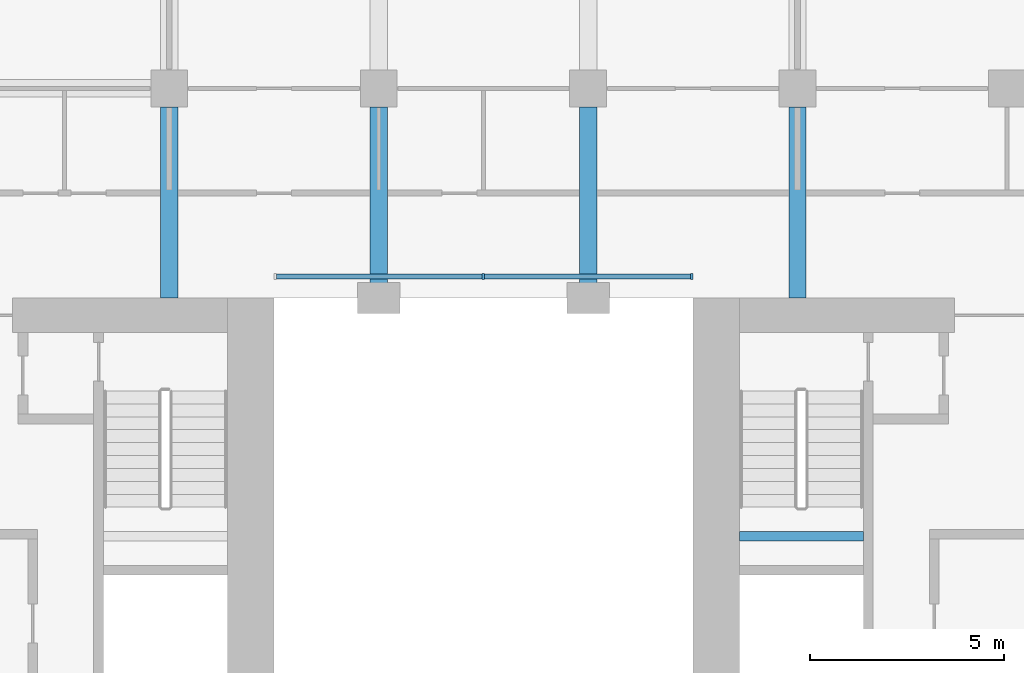
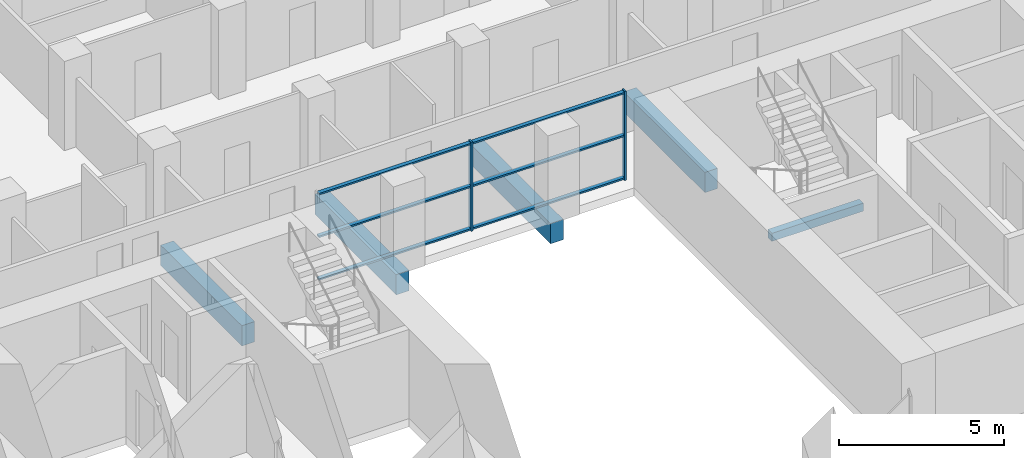
# One storey, part 4 of 13: 8 members, 5 beams, 1 element without a shape of its own.
"""IFC4 building model written with IfcOpenShell, lengths in metres."""

from ifc_helpers import new_model, si_unit, direction, frame, origin, origin_2d, place, context, subcontext, project, spatial, rectangle, extrude, material, material_profile, profile_set, type_object, element, aggregate, save


model = new_model("IFC4")

# Units and contexts
model_context = context("Model", 3, precision=1e-05, world=origin(), true_north=direction((0.0, 1.0)))
body_context = subcontext(model_context, "Body", "Model", "MODEL_VIEW")
ifc_project = project(units=[si_unit("LENGTHUNIT", "METRE"), si_unit("AREAUNIT", "SQUARE_METRE"), si_unit("VOLUMEUNIT", "CUBIC_METRE"), si_unit("PLANEANGLEUNIT", "RADIAN"), si_unit("MASSUNIT", "GRAM", prefix="KILO")], contexts=[model_context])

# Site, building, storey
site_placement = place(None, origin())
site = spatial("IfcSite", under=ifc_project, at=site_placement, CompositionType="ELEMENT")
building_placement = place(site_placement, origin())
building = spatial("IfcBuilding", under=site, at=building_placement, Name="Tabaq Tower and Sports Hall", CompositionType="ELEMENT")
storey_placement = place(building_placement, frame((0.0, 0.0, 122.0)))
storey = spatial("IfcBuildingStorey", under=building, at=storey_placement, Name="L29", CompositionType="ELEMENT", Elevation=122.0)

# Curtain wall, members
ifc_material_1 = material(Name="Aluminium alloy 6063-T6 framed glazing", Category="aluminium")
curtain_wall_type = type_object("IfcCurtainWallType", Name="CW1 curtain wall", PredefinedType="USERDEFINED", material=ifc_material_1)
curtain_wall_placement = place(storey_placement, origin())
curtain_wall = element("IfcCurtainWall", 1, at=curtain_wall_placement, inside=storey, type_object=curtain_wall_type, Name="Atrium glazing L29 N", ObjectType="ATRIUM ENCLOSURE", PredefinedType="USERDEFINED")
ifc_material_2 = material(Name="Aluminium alloy 6063-T6", Category="aluminium")
ifc_material_profile_1 = material_profile(ifc_material_2, rectangle(XDim=0.159912109375, YDim=0.06005859375, at=origin_2d()), Name="MULLION 160x60")
ifc_profile_set_1 = profile_set([ifc_material_profile_1], Name="Aluminium alloy 6063-T6")
member_type_1 = type_object("IfcMemberType", Name="CW1 mullion 160x60", PredefinedType="MULLION", material=ifc_profile_set_1)
member_1_placement = place(storey_placement, frame((24.300048828125, 32.949951171875, 0.0), z_axis=(0.0, 0.0, 1.0), x_axis=(0.0, 1.0, 0.0)))
member_1 = element("IfcMember", 2, at=member_1_placement, type_object=member_type_1, Name="CW1 mullion 2", PredefinedType="MULLION", context=body_context, shape_type="SweptSolid", body=[
    extrude(rectangle(XDim=0.159912109375, YDim=0.06005859375, at=origin_2d()), origin(), (0.0, 0.0, 1.0), 3.300048828125),
])
member_2_placement = place(storey_placement, frame((29.669921875, 32.949951171875, 0.0), z_axis=(0.0, 0.0, 1.0), x_axis=(0.0, 1.0, 0.0)))
member_2 = element("IfcMember", 3, at=member_2_placement, type_object=member_type_1, Name="CW1 mullion 3", PredefinedType="MULLION", context=body_context, shape_type="SweptSolid", body=[
    extrude(rectangle(XDim=0.159912109375, YDim=0.06005859375, at=origin_2d()), origin(), (0.0, 0.0, 1.0), 3.300048828125),
])
ifc_material_3 = material(Name="Aluminium alloy 6063-T6", Category="aluminium")
ifc_material_profile_2 = material_profile(ifc_material_3, rectangle(XDim=0.139892578125, YDim=0.06005859375, at=origin_2d()), Name="TRANSOM 140x60")
ifc_profile_set_2 = profile_set([ifc_material_profile_2], Name="Aluminium alloy 6063-T6")
member_type_2 = type_object("IfcMemberType", Name="CW1 transom 140x60", PredefinedType="USERDEFINED", material=ifc_profile_set_2)
member_3_placement = place(storey_placement, frame((18.9599609375, 32.949951171875, 0.070068359375), z_axis=(1.0, 0.0, 0.0), x_axis=(0.0, 1.0, 0.0)))
member_3 = element("IfcMember", 4, at=member_3_placement, type_object=member_type_2, Name="CW1 transom 1.1", ObjectType="TRANSOM", PredefinedType="USERDEFINED", context=body_context, shape_type="SweptSolid", body=[
    extrude(rectangle(XDim=0.139892578125, YDim=0.06005859375, at=origin_2d()), origin(), (0.0, 0.0, 1.0), 5.31005859375),
])
member_4_placement = place(storey_placement, frame((18.9599609375, 32.949951171875, 1.64990234375), z_axis=(1.0, 0.0, 0.0), x_axis=(0.0, 1.0, 0.0)))
member_4 = element("IfcMember", 5, at=member_4_placement, type_object=member_type_2, Name="CW1 transom 1.2", ObjectType="TRANSOM", PredefinedType="USERDEFINED", context=body_context, shape_type="SweptSolid", body=[
    extrude(rectangle(XDim=0.139892578125, YDim=0.06005859375, at=origin_2d()), origin(), (0.0, 0.0, 1.0), 5.31005859375),
])
member_5_placement = place(storey_placement, frame((18.9599609375, 32.949951171875, 3.22998046875), z_axis=(1.0, 0.0, 0.0), x_axis=(0.0, 1.0, 0.0)))
member_5 = element("IfcMember", 6, at=member_5_placement, type_object=member_type_2, Name="CW1 transom 1.3", ObjectType="TRANSOM", PredefinedType="USERDEFINED", context=body_context, shape_type="SweptSolid", body=[
    extrude(rectangle(XDim=0.139892578125, YDim=0.06005859375, at=origin_2d()), origin(), (0.0, 0.0, 1.0), 5.31005859375),
])
member_6_placement = place(storey_placement, frame((24.330078125, 32.949951171875, 0.070068359375), z_axis=(1.0, 0.0, 0.0), x_axis=(0.0, 1.0, 0.0)))
member_6 = element("IfcMember", 7, at=member_6_placement, type_object=member_type_2, Name="CW1 transom 2.1", ObjectType="TRANSOM", PredefinedType="USERDEFINED", context=body_context, shape_type="SweptSolid", body=[
    extrude(rectangle(XDim=0.139892578125, YDim=0.06005859375, at=origin_2d()), origin(), (0.0, 0.0, 1.0), 5.309814453125),
])
member_7_placement = place(storey_placement, frame((24.330078125, 32.949951171875, 1.64990234375), z_axis=(1.0, 0.0, 0.0), x_axis=(0.0, 1.0, 0.0)))
member_7 = element("IfcMember", 8, at=member_7_placement, type_object=member_type_2, Name="CW1 transom 2.2", ObjectType="TRANSOM", PredefinedType="USERDEFINED", context=body_context, shape_type="SweptSolid", body=[
    extrude(rectangle(XDim=0.139892578125, YDim=0.06005859375, at=origin_2d()), origin(), (0.0, 0.0, 1.0), 5.309814453125),
])
member_8_placement = place(storey_placement, frame((24.330078125, 32.949951171875, 3.22998046875), z_axis=(1.0, 0.0, 0.0), x_axis=(0.0, 1.0, 0.0)))
member_8 = element("IfcMember", 9, at=member_8_placement, type_object=member_type_2, Name="CW1 transom 2.3", ObjectType="TRANSOM", PredefinedType="USERDEFINED", context=body_context, shape_type="SweptSolid", body=[
    extrude(rectangle(XDim=0.139892578125, YDim=0.06005859375, at=origin_2d()), origin(), (0.0, 0.0, 1.0), 5.309814453125),
])
aggregate(curtain_wall, [member_1, member_2, member_3, member_4, member_5, member_6, member_7, member_8])

# Beams
ifc_material_4 = material(Name="Concrete C40/50", Category="concrete")
ifc_material_profile_3 = material_profile(ifc_material_4, rectangle(XDim=0.449951171875, YDim=0.75, at=origin_2d()), Name="CB 450x750")
ifc_profile_set_3 = profile_set([ifc_material_profile_3], Name="Concrete C40/50")
beam_type_1 = type_object("IfcBeamType", Name="PT CANTILEVER BEAM CB 450x750 C40/50", PredefinedType="BEAM", material=ifc_profile_set_3)
for number, where, z_axis, x_axis, name in (
    (10, (16.199951171875, 37.324951171875, -0.675048828125), (0.0, -1.0, 0.0), (1.0, 0.0, 0.0), "Cantilever Beam L29 N3 span 3"),
    (11, (21.60009765625, 37.324951171875, -0.675048828125), (0.0, -1.0, 0.0), (1.0, 0.0, 0.0), "Cantilever Beam L29 N4 span 3"),
    (12, (27.0, 37.324951171875, -0.675048828125), (0.0, -1.0, 0.0), (1.0, 0.0, 0.0), "Cantilever Beam L29 N5 span 3"),
    (13, (32.39990234375, 37.324951171875, -0.675048828125), (0.0, -1.0, 0.0), (1.0, 0.0, 0.0), "Cantilever Beam L29 N6 span 3"),
):
    element("IfcBeam", number, at=place(storey_placement, frame(where, z_axis=z_axis, x_axis=x_axis)), inside=storey, type_object=beam_type_1, Name=name, PredefinedType="BEAM", context=body_context, shape_type="SweptSolid", body=[
        extrude(rectangle(XDim=0.449951171875, YDim=0.75, at=origin_2d()), origin(), (0.0, 0.0, 1.0), 4.925048828125),
    ])
ifc_material_5 = material(Name="Concrete C40/50", Category="concrete")
ifc_material_profile_4 = material_profile(ifc_material_5, rectangle(XDim=0.25, YDim=0.300048828125, at=origin_2d()), Name="RC 250x300")
ifc_profile_set_4 = profile_set([ifc_material_profile_4], Name="Concrete C40/50")
beam_type_2 = type_object("IfcBeamType", Name="Stair landing beam 250x300", PredefinedType="BEAM", material=ifc_profile_set_4)
beam_placement = place(storey_placement, frame((30.89990234375, 26.25, 1.550048828125), z_axis=(1.0, 0.0, 0.0), x_axis=(0.0, 1.0, 0.0)))
element("IfcBeam", 14, at=beam_placement, inside=storey, type_object=beam_type_2, Name="L29 ST4 landing beam 1", PredefinedType="BEAM", context=body_context, shape_type="SweptSolid", body=[
    extrude(rectangle(XDim=0.25, YDim=0.300048828125, at=origin_2d()), origin(), (0.0, 0.0, 1.0), 3.2001953125),
])

save(model, "model.ifc")
